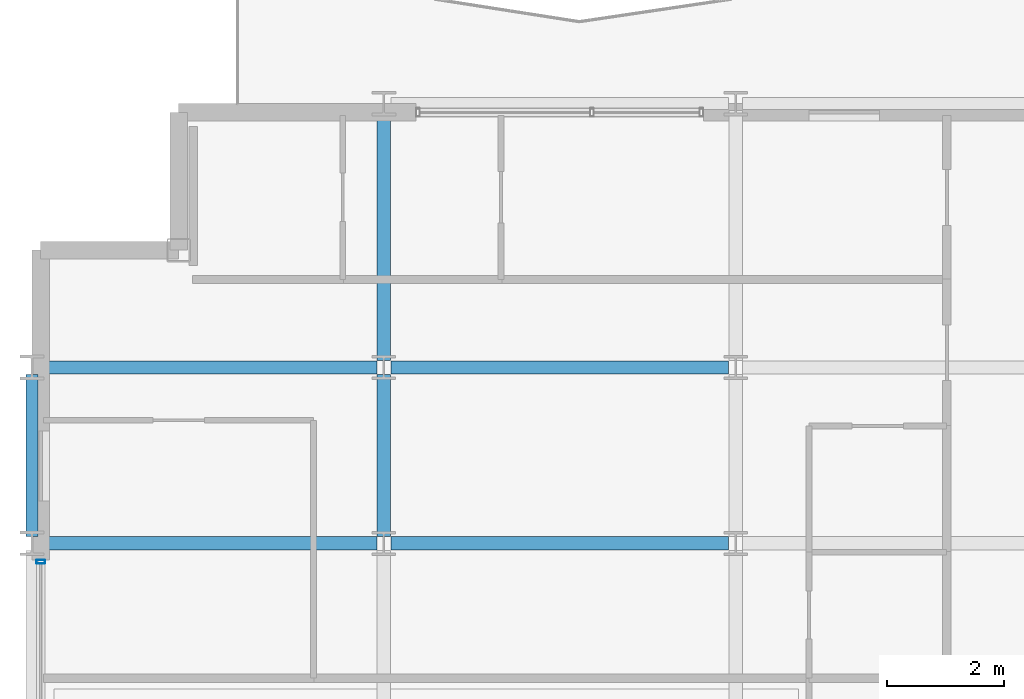
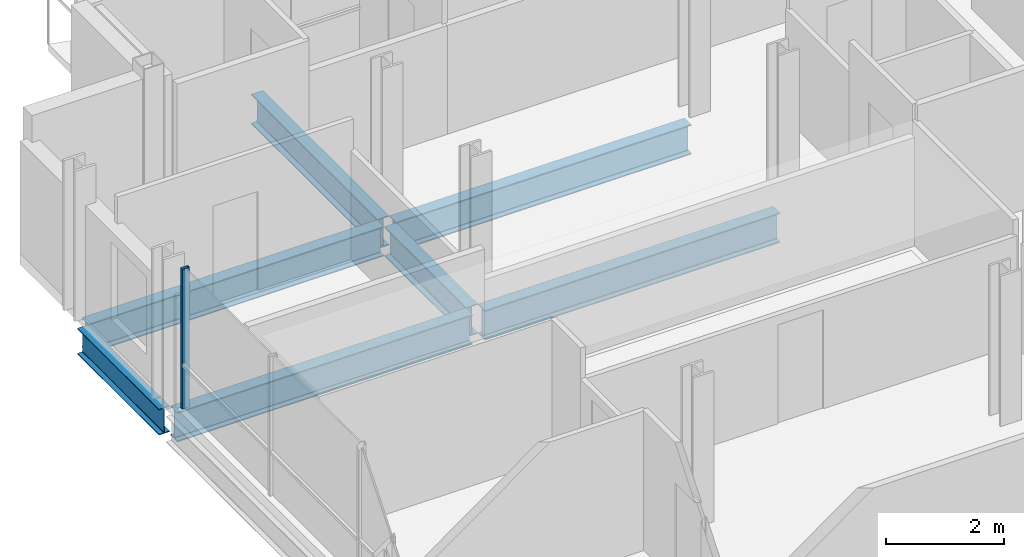
# One storey, part 9 of 41: 7 beams, 1 member, 1 element without a shape of its own.
"""IFC4 building model written with IfcOpenShell, lengths in metres."""

from ifc_helpers import new_model, si_unit, direction, frame, origin, origin_2d, place, context, subcontext, project, spatial, hollow_rectangle, i_section, extrude, material, layer, layer_set, material_profile, profile_set, type_object, element, aggregate, save


model = new_model("IFC4")

# Units and contexts
model_context = context("Model", 3, precision=1e-05, world=origin(), true_north=direction((0.0, 1.0)))
body_context = subcontext(model_context, "Body", "Model", "MODEL_VIEW")
ifc_project = project(units=[si_unit("LENGTHUNIT", "METRE"), si_unit("AREAUNIT", "SQUARE_METRE"), si_unit("VOLUMEUNIT", "CUBIC_METRE"), si_unit("PLANEANGLEUNIT", "RADIAN"), si_unit("MASSUNIT", "GRAM", prefix="KILO")], contexts=[model_context])

# Site, building, storey
site_placement = place(None, origin())
site = spatial("IfcSite", under=ifc_project, at=site_placement, CompositionType="ELEMENT")
building_placement = place(site_placement, origin())
building = spatial("IfcBuilding", under=site, at=building_placement, Name="Brevholm Reach", CompositionType="ELEMENT")
storey_placement = place(building_placement, frame((0.0, 0.0, 157.300048828125)))
storey = spatial("IfcBuildingStorey", under=building, at=storey_placement, Name="L47", CompositionType="ELEMENT", Elevation=157.300048828125)

# Beams
ifc_material_1 = material(Name="Structural Steel S355J2", Category="steel")
ifc_material_profile_1 = material_profile(ifc_material_1, i_section(OverallWidth=0.209228515625, OverallDepth=0.533203125, WebThickness=0.010009765625, FlangeThickness=0.015625, FilletRadius=0.0126953125, at=origin_2d()), Name="UKB 533x210x92")
ifc_profile_set_1 = profile_set([ifc_material_profile_1], Name="Structural Steel S355J2")
beam_type_1 = type_object("IfcBeamType", Name="BM-SP533", PredefinedType="SPANDREL", material=ifc_profile_set_1)
beam_1_placement = place(storey_placement, frame((0.0, 23.6201171875, -0.486572265625), z_axis=(0.0, 1.0, 0.0), x_axis=(-1.0, 0.0, 0.0)))
element("IfcBeam", 1, at=beam_1_placement, inside=storey, type_object=beam_type_1, Name="L47 SP-02 Framing Beam", PredefinedType="SPANDREL", context=body_context, shape_type="SweptSolid", body=[
    extrude(i_section(OverallWidth=0.209228515625, OverallDepth=0.533203125, WebThickness=0.010009765625, FlangeThickness=0.015625, FilletRadius=0.0126953125, at=origin_2d()), origin(), (0.0, 0.0, 1.0), 2.759765625),
])
ifc_material_2 = material(Name="Structural Steel S355J2", Category="steel")
ifc_material_profile_2 = material_profile(ifc_material_2, i_section(OverallWidth=0.22900390625, OverallDepth=0.6123046875, WebThickness=0.011962890625, FlangeThickness=0.01953125, FilletRadius=0.0126953125, at=origin_2d()), Name="UKB 610x229x125")
ifc_profile_set_2 = profile_set([ifc_material_profile_2], Name="Structural Steel S355J2")
beam_type_2 = type_object("IfcBeamType", Name="BM-SP610", PredefinedType="SPANDREL", material=ifc_profile_set_2)
for number, where, z_axis, x_axis, name in (
    (2, (0.1201171875, 23.5, -0.526123046875), (1.0, 0.0, 0.0), (0.0, 1.0, 0.0), "L47 SP-01 Framing Beam"),
    (3, (6.1201171875, 23.5, -0.526123046875), (1.0, 0.0, 0.0), (0.0, 1.0, 0.0), "L47 SP-01 Framing Beam"),
    (4, (0.1201171875, 26.5, -0.526123046875), (1.0, 0.0, 0.0), (0.0, 1.0, 0.0), "L47 SP-01 Framing Beam"),
    (5, (6.1201171875, 26.5, -0.526123046875), (1.0, 0.0, 0.0), (0.0, 1.0, 0.0), "L47 SP-01 Framing Beam"),
):
    element("IfcBeam", number, at=place(storey_placement, frame(where, z_axis=z_axis, x_axis=x_axis)), inside=storey, type_object=beam_type_2, Name=name, PredefinedType="SPANDREL", context=body_context, shape_type="SweptSolid", body=[
        extrude(i_section(OverallWidth=0.22900390625, OverallDepth=0.6123046875, WebThickness=0.011962890625, FlangeThickness=0.01953125, FilletRadius=0.0126953125, at=origin_2d()), origin(), (0.0, 0.0, 1.0), 5.759765625),
    ])
beam_2_placement = place(storey_placement, frame((6.0, 23.6201171875, -0.526123046875), z_axis=(0.0, 1.0, 0.0), x_axis=(-1.0, 0.0, 0.0)))
element("IfcBeam", 6, at=beam_2_placement, inside=storey, type_object=beam_type_2, Name="L47 SP-01 Framing Beam", PredefinedType="SPANDREL", context=body_context, shape_type="SweptSolid", body=[
    extrude(i_section(OverallWidth=0.22900390625, OverallDepth=0.6123046875, WebThickness=0.011962890625, FlangeThickness=0.01953125, FilletRadius=0.0126953125, at=origin_2d()), origin(), (0.0, 0.0, 1.0), 2.759765625),
])
beam_3_placement = place(storey_placement, frame((6.0, 26.6201171875, -0.526123046875), z_axis=(0.0, 1.0, 0.0), x_axis=(-1.0, 0.0, 0.0)))
element("IfcBeam", 7, at=beam_3_placement, inside=storey, type_object=beam_type_2, Name="L47 SP-01 Framing Beam", PredefinedType="SPANDREL", context=body_context, shape_type="SweptSolid", body=[
    extrude(i_section(OverallWidth=0.22900390625, OverallDepth=0.6123046875, WebThickness=0.011962890625, FlangeThickness=0.01953125, FilletRadius=0.0126953125, at=origin_2d()), origin(), (0.0, 0.0, 1.0), 4.259765625),
])

# Curtain wall, member
ifc_material_3 = material(Name="Dark Anodised Aluminium 6063-T6 and Solar-Control Glass", Category="aluminium")
ifc_layer = layer(ifc_material_3, 0.14990234375)
ifc_layer_set = layer_set([ifc_layer], Name="Dark Anodised Aluminium 6063-T6 and Solar-Control Glass")
curtain_wall_type = type_object("IfcCurtainWallType", Name="CW-01", PredefinedType="NOTDEFINED", material=ifc_layer_set)
curtain_wall_placement = place(storey_placement, origin())
curtain_wall = element("IfcCurtainWall", 8, at=curtain_wall_placement, inside=storey, type_object=curtain_wall_type, Name="L47 Curtain Wall CW-01", PredefinedType="NOTDEFINED")
ifc_material_4 = material(Name="Dark Anodised Aluminium 6063-T6", Category="aluminium")
ifc_material_profile_3 = material_profile(ifc_material_4, hollow_rectangle(XDim=0.06494140625, YDim=0.14990234375, WallThickness=0.0048828125, InnerFilletRadius=0.0048828125, OuterFilletRadius=0.010009765625, at=origin_2d()), Name="RHS 150x65x5")
ifc_profile_set_3 = profile_set([ifc_material_profile_3], Name="Dark Anodised Aluminium 6063-T6")
member_type = type_object("IfcMemberType", Name="CWM-150", PredefinedType="MULLION", material=ifc_profile_set_3)
member_placement = place(storey_placement, frame((0.14990234375, 23.1875, 0.0), z_axis=(0.0, 0.0, 1.0), x_axis=(0.0, -1.0, 0.0)))
member = element("IfcMember", 9, at=member_placement, type_object=member_type, Name="CM-150 Mullion 1", PredefinedType="MULLION", context=body_context, shape_type="SweptSolid", body=[
    extrude(hollow_rectangle(XDim=0.06494140625, YDim=0.14990234375, WallThickness=0.0048828125, InnerFilletRadius=0.0048828125, OuterFilletRadius=0.010009765625, at=origin_2d()), origin(), (0.0, 0.0, 1.0), 2.8798828125),
])
aggregate(curtain_wall, [member])

save(model, "model.ifc")
